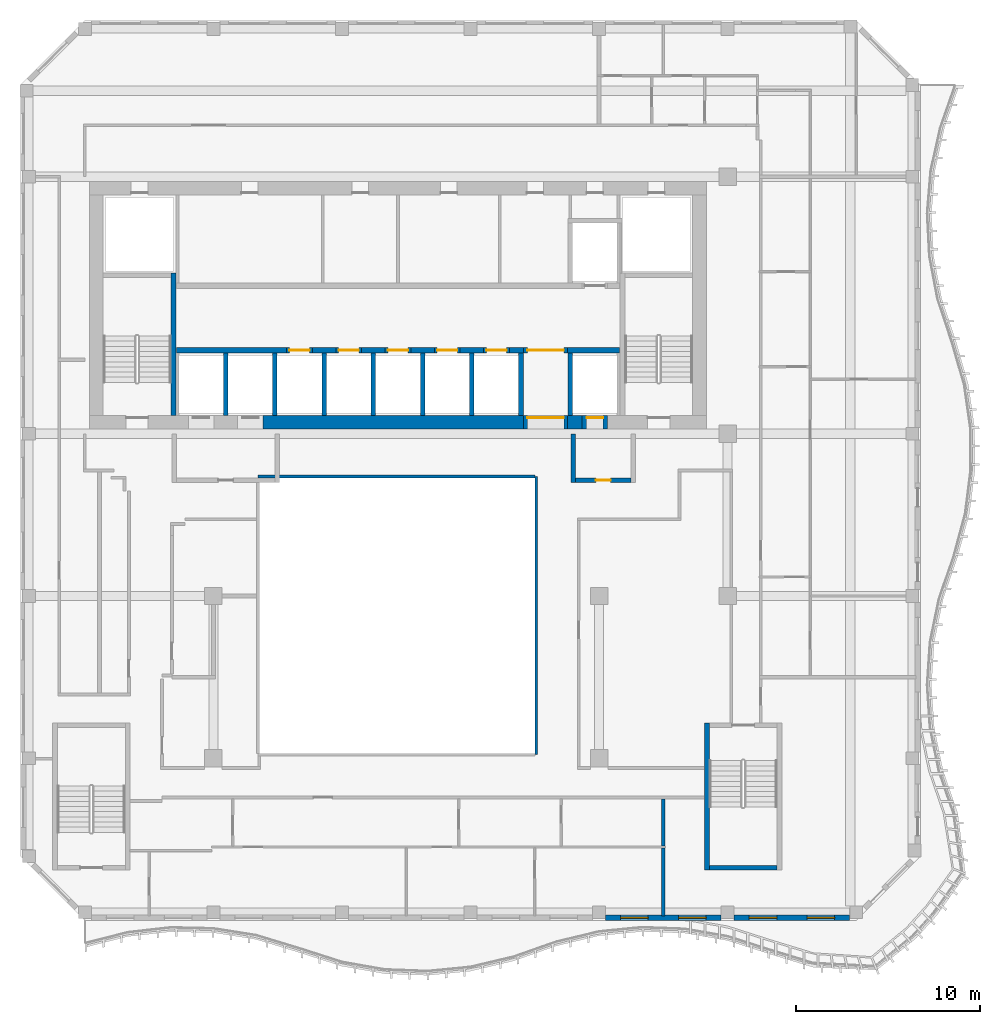
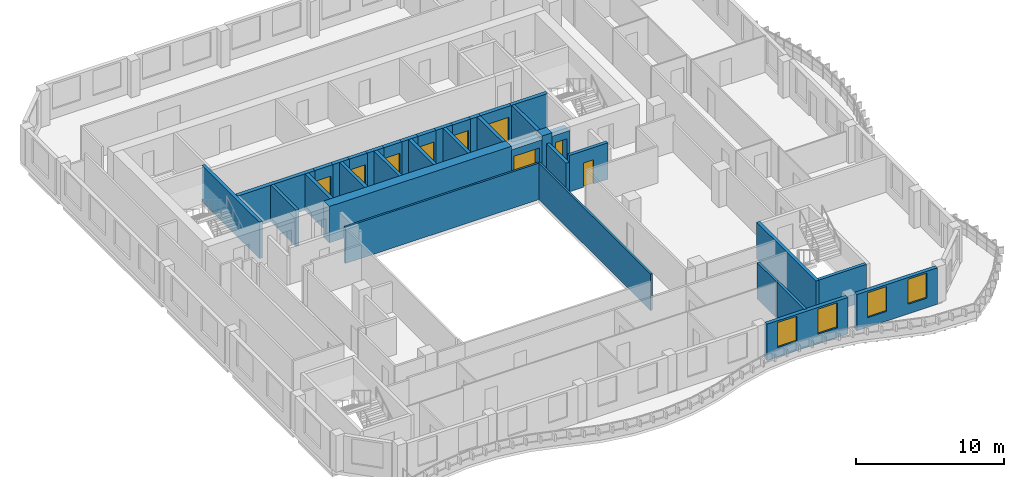
# One storey, part 4 of 13: 36 walls, 9 doors, 4 windows, 13 openings.
"""IFC4 building model written with IfcOpenShell, lengths in metres."""

from ifc_helpers import new_model, si_unit, direction, frame, frame_2d, origin, place, context, subcontext, project, spatial, rectangle, extrude, source, transform, mapped, material, layer, layer_set, type_object, element, fill, save


model = new_model("IFC4")

# Units and contexts
model_context = context("Model", 3, precision=1e-05, world=origin(), true_north=direction((0.0, 1.0)))
body_context = subcontext(model_context, "Body", "Model", "MODEL_VIEW")
ifc_project = project(units=[si_unit("LENGTHUNIT", "METRE"), si_unit("AREAUNIT", "SQUARE_METRE"), si_unit("VOLUMEUNIT", "CUBIC_METRE"), si_unit("PLANEANGLEUNIT", "RADIAN"), si_unit("MASSUNIT", "GRAM", prefix="KILO")], contexts=[model_context])

# Site, building, storey
site_placement = place(None, origin())
site = spatial("IfcSite", under=ifc_project, at=site_placement, CompositionType="ELEMENT")
building_placement = place(site_placement, origin())
building = spatial("IfcBuilding", under=site, at=building_placement, Name="Kilnfold Tower and Market Hall", CompositionType="ELEMENT")
storey_placement = place(building_placement, frame((0.0, 0.0, 259.39990234375)))
storey = spatial("IfcBuildingStorey", under=building, at=storey_placement, Name="L63", CompositionType="ELEMENT", Elevation=259.39990234375)

# Walls
ifc_material_1 = material(Name="Fire-resisting glazed screen")
ifc_layer_1 = layer(ifc_material_1, 0.14990234375)
ifc_layer_set_1 = layer_set([ifc_layer_1], Name="Fire-resisting glazed screen")
wall_type_1 = type_object("IfcWallType", Name="WALL ATRIUM 150", PredefinedType="PARTITIONING", material=ifc_layer_set_1)
wall_1_placement = place(storey_placement, frame((-6.574951171875, 5.675048828125, 0.0), z_axis=(0.0, 0.0, 1.0), x_axis=(1.0, 0.0, 0.0)))
element("IfcWall", 1, at=wall_1_placement, inside=storey, type_object=wall_type_1, Name="Partition LY39.82", PredefinedType="PARTITIONING", context=body_context, shape_type="SweptSolid", body=[
    extrude(rectangle(XDim=15.074951171875, YDim=0.14990234375, at=frame_2d((7.53759765625, 0.0))), origin(), (0.0, 0.0, 1.0), 3.0),
])
wall_2_placement = place(storey_placement, frame((8.574951171875, 5.675048828125, 0.0), z_axis=(0.0, 0.0, 1.0), x_axis=(0.0, -1.0, 0.0)))
element("IfcWall", 2, at=wall_2_placement, inside=storey, type_object=wall_type_1, Name="Partition LY39.83", PredefinedType="PARTITIONING", context=body_context, shape_type="SweptSolid", body=[
    extrude(rectangle(XDim=15.150146484375, YDim=0.14990234375, at=frame_2d((7.5751953125, 0.0))), origin(), (0.0, 0.0, 1.0), 3.0),
])
ifc_material_2 = material(Name="Gypsum board on steel studs", Category="steel")
ifc_layer_2 = layer(ifc_material_2, 0.199951171875)
ifc_layer_set_2 = layer_set([ifc_layer_2], Name="Gypsum board on steel studs")
wall_type_2 = type_object("IfcWallType", Name="WALL PARTY 200", PredefinedType="PARTITIONING", material=ifc_layer_set_2)
wall_3_placement = place(storey_placement, frame((15.5, -14.449951171875, 0.0), z_axis=(0.0, 0.0, 1.0), x_axis=(0.0, 1.0, 0.0)))
element("IfcWall", 3, at=wall_3_placement, inside=storey, type_object=wall_type_2, Name="Partition LY39.49", PredefinedType="PARTITIONING", context=body_context, shape_type="SweptSolid", body=[
    extrude(rectangle(XDim=2.572998046875, YDim=0.199951171875, at=frame_2d((1.28662109375, 0.0))), origin(), (0.0, 0.0, 1.0), 3.0),
])
wall_4_placement = place(storey_placement, frame((15.5, -18.25, 0.0), z_axis=(0.0, 0.0, 1.0), x_axis=(0.0, 1.0, 0.0)))
element("IfcWall", 4, at=wall_4_placement, inside=storey, type_object=wall_type_2, Name="Partition LY39.53", PredefinedType="PARTITIONING", context=body_context, shape_type="SweptSolid", body=[
    extrude(rectangle(XDim=3.697998046875, YDim=0.199951171875, at=frame_2d((1.84912109375, 0.0))), origin(), (0.0, 0.0, 1.0), 3.0),
])
ifc_material_3 = material(Name="Concrete C60", Category="concrete")
ifc_layer_3 = layer(ifc_material_3, 0.25)
ifc_layer_set_3 = layer_set([ifc_layer_3], Name="Concrete C60")
wall_type_3 = type_object("IfcWallType", Name="CORE WALL 250 C60", PredefinedType="SHEAR", material=ifc_layer_set_3)
shared_shape_1 = source(origin(), body_context, "Body", "SweptSolid", [
    extrude(rectangle(XDim=7.75, YDim=0.25, at=frame_2d((3.875, 0.0))), origin(), (0.0, 0.0, 1.0), 3.0),
])
wall_5_placement = place(storey_placement, frame((-11.175048828125, 9.0, 0.0), z_axis=(0.0, 0.0, 1.0), x_axis=(0.0, 1.0, 0.0)))
element("IfcWall", 5, at=wall_5_placement, inside=storey, type_object=wall_type_3, Name="Stair enclosure ST1", PredefinedType="SHEAR", context=body_context, shape_type="MappedRepresentation", body=[
    mapped(shared_shape_1, transform((0.0, 0.0, 0.0))),
])
shared_shape_2 = source(origin(), body_context, "Body", "SweptSolid", [
    extrude(rectangle(XDim=3.699951171875, YDim=0.25, at=frame_2d((1.85009765625, 0.0))), origin(), (0.0, 0.0, 1.0), 3.0),
])
wall_6_placement = place(storey_placement, frame((18.0, -15.625, 0.0), z_axis=(0.0, 0.0, 1.0), x_axis=(1.0, 0.0, 0.0)))
element("IfcWall", 6, at=wall_6_placement, inside=storey, type_object=wall_type_3, Name="Stair enclosure ST4", PredefinedType="SHEAR", context=body_context, shape_type="MappedRepresentation", body=[
    mapped(shared_shape_2, transform((0.0, 0.0, 0.0))),
])
shared_shape_3 = source(origin(), body_context, "Body", "SweptSolid", [
    extrude(rectangle(XDim=8.0, YDim=0.25, at=frame_2d((4.0, 0.0))), origin(), (0.0, 0.0, 1.0), 3.0),
])
wall_7_placement = place(storey_placement, frame((17.875, -15.75, 0.0), z_axis=(0.0, 0.0, 1.0), x_axis=(0.0, 1.0, 0.0)))
element("IfcWall", 7, at=wall_7_placement, inside=storey, type_object=wall_type_3, Name="Stair enclosure ST4", PredefinedType="SHEAR", context=body_context, shape_type="MappedRepresentation", body=[
    mapped(shared_shape_3, transform((0.0, 0.0, 0.0))),
])
ifc_material_4 = material(Name="Concrete C60", Category="concrete")
ifc_layer_4 = layer(ifc_material_4, 0.300048828125)
ifc_layer_set_4 = layer_set([ifc_layer_4], Name="Concrete C60")
wall_type_4 = type_object("IfcWallType", Name="CORE WALL 300 C60", PredefinedType="SHEAR", material=ifc_layer_set_4)
shared_shape_4 = source(origin(), body_context, "Body", "SweptSolid", [
    extrude(rectangle(XDim=6.0, YDim=0.300048828125, at=frame_2d((3.0, 0.0))), origin(), (0.0, 0.0, 1.0), 3.0),
])
wall_8_placement = place(storey_placement, frame((-11.010009765625, 12.550048828125, 0.0), z_axis=(0.0, 0.0, 1.0), x_axis=(1.0, 0.0, 0.0)))
element("IfcWall", 8, at=wall_8_placement, inside=storey, type_object=wall_type_4, Name="Core spine wall", PredefinedType="SHEAR", context=body_context, shape_type="MappedRepresentation", body=[
    mapped(shared_shape_4, transform((0.0, 0.0, 0.0))),
])
shared_shape_5 = source(origin(), body_context, "Body", "SweptSolid", [
    extrude(rectangle(XDim=1.280029296875, YDim=0.300048828125, at=frame_2d((0.64013671875, 0.0))), origin(), (0.0, 0.0, 1.0), 3.0),
])
for number, where, z_axis, x_axis, name in (
    (9, (-3.610107421875, 12.550048828125, 0.0), (0.0, 0.0, 1.0), (1.0, 0.0, 0.0), "Core spine wall"),
    (10, (-0.929931640625, 12.550048828125, 0.0), (0.0, 0.0, 1.0), (1.0, 0.0, 0.0), "Core spine wall"),
    (11, (1.75, 12.550048828125, 0.0), (0.0, 0.0, 1.0), (1.0, 0.0, 0.0), "Core spine wall"),
    (12, (4.429931640625, 12.550048828125, 0.0), (0.0, 0.0, 1.0), (1.0, 0.0, 0.0), "Core spine wall"),
):
    element("IfcWall", number, at=place(storey_placement, frame(where, z_axis=z_axis, x_axis=x_axis)), inside=storey, type_object=wall_type_4, Name=name, PredefinedType="SHEAR", context=body_context, shape_type="MappedRepresentation", body=[
        mapped(shared_shape_5, transform((0.0, 0.0, 0.0))),
    ])
shared_shape_6 = source(origin(), body_context, "Body", "SweptSolid", [
    extrude(rectangle(XDim=0.77978515625, YDim=0.300048828125, at=frame_2d((0.389892578125, 0.0))), origin(), (0.0, 0.0, 1.0), 3.0),
])
wall_9_placement = place(storey_placement, frame((7.110107421875, 12.550048828125, 0.0), z_axis=(0.0, 0.0, 1.0), x_axis=(1.0, 0.0, 0.0)))
element("IfcWall", 13, at=wall_9_placement, inside=storey, type_object=wall_type_4, Name="Core spine wall", PredefinedType="SHEAR", context=body_context, shape_type="MappedRepresentation", body=[
    mapped(shared_shape_6, transform((0.0, 0.0, 0.0))),
])
shared_shape_7 = source(origin(), body_context, "Body", "SweptSolid", [
    extrude(rectangle(XDim=2.820068359375, YDim=0.300048828125, at=frame_2d((1.41015625, 0.0))), origin(), (0.0, 0.0, 1.0), 3.0),
])
wall_10_placement = place(storey_placement, frame((10.2900390625, 12.550048828125, 0.0), z_axis=(0.0, 0.0, 1.0), x_axis=(1.0, 0.0, 0.0)))
element("IfcWall", 14, at=wall_10_placement, inside=storey, type_object=wall_type_4, Name="Core spine wall", PredefinedType="SHEAR", context=body_context, shape_type="MappedRepresentation", body=[
    mapped(shared_shape_7, transform((0.0, 0.0, 0.0))),
])
ifc_material_5 = material(Name="Concrete C60", Category="concrete")
ifc_layer_5 = layer(ifc_material_5, 0.75)
ifc_layer_set_5 = layer_set([ifc_layer_5], Name="Concrete C60")
wall_type_5 = type_object("IfcWallType", Name="CORE WALL 750 C60", PredefinedType="SHEAR", material=ifc_layer_set_5)
shared_shape_8 = source(origin(), body_context, "Body", "SweptSolid", [
    extrude(rectangle(XDim=14.179931640625, YDim=0.75, at=frame_2d((7.08984375, 0.0))), origin(), (0.0, 0.0, 1.0), 3.0),
])
wall_11_placement = place(storey_placement, frame((-6.2900390625, 8.625, 0.0), z_axis=(0.0, 0.0, 1.0), x_axis=(1.0, 0.0, 0.0)))
element("IfcWall", 15, at=wall_11_placement, inside=storey, type_object=wall_type_5, Name="Core outer wall south", PredefinedType="SHEAR", context=body_context, shape_type="MappedRepresentation", body=[
    mapped(shared_shape_8, transform((0.0, 0.0, 0.0))),
])
shared_shape_9 = source(origin(), body_context, "Body", "SweptSolid", [
    extrude(rectangle(XDim=0.780029296875, YDim=0.75, at=frame_2d((0.39013671875, 0.0))), origin(), (0.0, 0.0, 1.0), 3.0),
])
wall_12_placement = place(storey_placement, frame((10.2900390625, 8.625, 0.0), z_axis=(0.0, 0.0, 1.0), x_axis=(1.0, 0.0, 0.0)))
element("IfcWall", 16, at=wall_12_placement, inside=storey, type_object=wall_type_5, Name="Core outer wall south", PredefinedType="SHEAR", context=body_context, shape_type="MappedRepresentation", body=[
    mapped(shared_shape_9, transform((0.0, 0.0, 0.0))),
])

# Wall, openings, windows
ifc_material_6 = material(Name="Precast concrete C50/60", Category="concrete")
ifc_layer_6 = layer(ifc_material_6, 0.300048828125)
ifc_layer_set_6 = layer_set([ifc_layer_6], Name="Precast concrete C50/60")
wall_type_6 = type_object("IfcWallType", Name="PRECAST WALL 300", PredefinedType="SOLIDWALL", material=ifc_layer_set_6)
shared_shape_10 = source(origin(), body_context, "Body", "SweptSolid", [
    extrude(rectangle(XDim=6.2998046875, YDim=0.300048828125, at=frame_2d((3.14990234375, 0.0))), origin(), (0.0, 0.0, 1.0), 3.0),
])
wall_13_placement = place(storey_placement, frame((12.35009765625, -18.35009765625, 0.0), z_axis=(0.0, 0.0, 1.0), x_axis=(1.0, 0.0, 0.0)))
wall_13 = element("IfcWall", 17, at=wall_13_placement, inside=storey, type_object=wall_type_6, Name="External wall L63 S", PredefinedType="SOLIDWALL", context=body_context, shape_type="MappedRepresentation", body=[
    mapped(shared_shape_10, transform((0.0, 0.0, 0.0))),
])
opening_1_placement = place(wall_13_placement, frame((0.824951171875, 0.0, 0.800048828125)))
opening_1 = element("IfcOpeningElement", 18, at=opening_1_placement, cuts=wall_13, Name="Opening W5", PredefinedType="OPENING", context=body_context, shape_type="SweptSolid", body=[
    extrude(rectangle(XDim=1.5, YDim=2.050048828125, at=frame_2d((0.75, 1.02490234375))), frame((0.0, 0.16015625, 0.0), z_axis=(0.0, -1.0, 0.0), x_axis=(1.0, 0.0, 0.0)), (0.0, 0.0, 1.0), 0.320068359375),
])
opening_2_placement = place(wall_13_placement, frame((3.97509765625, 0.0, 0.800048828125)))
opening_2 = element("IfcOpeningElement", 19, at=opening_2_placement, cuts=wall_13, Name="Opening W5", PredefinedType="OPENING", context=body_context, shape_type="SweptSolid", body=[
    extrude(rectangle(XDim=1.5, YDim=2.050048828125, at=frame_2d((0.75, 1.02490234375))), frame((0.0, 0.16015625, 0.0), z_axis=(0.0, -1.0, 0.0), x_axis=(1.0, 0.0, 0.0)), (0.0, 0.0, 1.0), 0.320068359375),
])
ifc_material_7 = material(Name="Aluminium frame and double glazing", Category="aluminium")
window_type = type_object("IfcWindowType", Name="WINDOW W5 1500X2050", PartitioningType="SINGLE_PANEL", PredefinedType="WINDOW", material=ifc_material_7)
window_1_placement = place(opening_1_placement, origin())
window_1 = element("IfcWindow", 20, at=window_1_placement, inside=storey, type_object=window_type, Name="Window W5 L63 S-1", OverallHeight=2.050048828125, OverallWidth=1.5, PartitioningType="SINGLE_PANEL", PredefinedType="WINDOW", context=body_context, shape_type="SweptSolid", body=[
    extrude(rectangle(XDim=1.5, YDim=2.050048828125, at=frame_2d((0.75, 1.02490234375))), frame((0.0, 0.030029296875, 0.0), z_axis=(0.0, -1.0, 0.0), x_axis=(1.0, 0.0, 0.0)), (0.0, 0.0, 1.0), 0.06005859375),
])
fill(opening_1, window_1)
window_2_placement = place(opening_2_placement, origin())
window_2 = element("IfcWindow", 21, at=window_2_placement, inside=storey, type_object=window_type, Name="Window W5 L63 S-2", OverallHeight=2.050048828125, OverallWidth=1.5, PartitioningType="SINGLE_PANEL", PredefinedType="WINDOW", context=body_context, shape_type="SweptSolid", body=[
    extrude(rectangle(XDim=1.5, YDim=2.050048828125, at=frame_2d((0.75, 1.02490234375))), frame((0.0, 0.030029296875, 0.0), z_axis=(0.0, -1.0, 0.0), x_axis=(1.0, 0.0, 0.0)), (0.0, 0.0, 1.0), 0.06005859375),
])
fill(opening_2, window_2)

wall_14_placement = place(storey_placement, frame((19.35009765625, -18.35009765625, 0.0), z_axis=(0.0, 0.0, 1.0), x_axis=(1.0, 0.0, 0.0)))
wall_14 = element("IfcWall", 22, at=wall_14_placement, inside=storey, type_object=wall_type_6, Name="External wall L63 S", PredefinedType="SOLIDWALL", context=body_context, shape_type="MappedRepresentation", body=[
    mapped(shared_shape_10, transform((0.0, 0.0, 0.0))),
])
opening_3_placement = place(wall_14_placement, frame((0.824951171875, 0.0, 0.800048828125)))
opening_3 = element("IfcOpeningElement", 23, at=opening_3_placement, cuts=wall_14, Name="Opening W5", PredefinedType="OPENING", context=body_context, shape_type="SweptSolid", body=[
    extrude(rectangle(XDim=1.5, YDim=2.050048828125, at=frame_2d((0.75, 1.02490234375))), frame((0.0, 0.16015625, 0.0), z_axis=(0.0, -1.0, 0.0), x_axis=(1.0, 0.0, 0.0)), (0.0, 0.0, 1.0), 0.320068359375),
])
opening_4_placement = place(wall_14_placement, frame((3.97509765625, 0.0, 0.800048828125)))
opening_4 = element("IfcOpeningElement", 24, at=opening_4_placement, cuts=wall_14, Name="Opening W5", PredefinedType="OPENING", context=body_context, shape_type="SweptSolid", body=[
    extrude(rectangle(XDim=1.5, YDim=2.050048828125, at=frame_2d((0.75, 1.02490234375))), frame((0.0, 0.16015625, 0.0), z_axis=(0.0, -1.0, 0.0), x_axis=(1.0, 0.0, 0.0)), (0.0, 0.0, 1.0), 0.320068359375),
])
window_3_placement = place(opening_3_placement, origin())
window_3 = element("IfcWindow", 25, at=window_3_placement, inside=storey, type_object=window_type, Name="Window W5 L63 S-1", OverallHeight=2.050048828125, OverallWidth=1.5, PartitioningType="SINGLE_PANEL", PredefinedType="WINDOW", context=body_context, shape_type="SweptSolid", body=[
    extrude(rectangle(XDim=1.5, YDim=2.050048828125, at=frame_2d((0.75, 1.02490234375))), frame((0.0, 0.030029296875, 0.0), z_axis=(0.0, -1.0, 0.0), x_axis=(1.0, 0.0, 0.0)), (0.0, 0.0, 1.0), 0.06005859375),
])
fill(opening_3, window_3)
window_4_placement = place(opening_4_placement, origin())
window_4 = element("IfcWindow", 26, at=window_4_placement, inside=storey, type_object=window_type, Name="Window W5 L63 S-2", OverallHeight=2.050048828125, OverallWidth=1.5, PartitioningType="SINGLE_PANEL", PredefinedType="WINDOW", context=body_context, shape_type="SweptSolid", body=[
    extrude(rectangle(XDim=1.5, YDim=2.050048828125, at=frame_2d((0.75, 1.02490234375))), frame((0.0, 0.030029296875, 0.0), z_axis=(0.0, -1.0, 0.0), x_axis=(1.0, 0.0, 0.0)), (0.0, 0.0, 1.0), 0.06005859375),
])
fill(opening_4, window_4)

# Wall, opening, door
ifc_material_8 = material(Name="Gypsum shaft wall system")
ifc_layer_7 = layer(ifc_material_8, 0.300048828125)
ifc_layer_set_7 = layer_set([ifc_layer_7], Name="Gypsum shaft wall system")
wall_type_7 = type_object("IfcWallType", Name="SHAFT WALL 300", PredefinedType="PARTITIONING", material=ifc_layer_set_7)
shared_shape_11 = source(origin(), body_context, "Body", "SweptSolid", [
    extrude(rectangle(XDim=1.39990234375, YDim=0.300048828125, at=frame_2d((0.699951171875, 0.0))), origin(), (0.0, 0.0, 1.0), 3.0),
])
wall_15_placement = place(storey_placement, frame((-5.010009765625, 12.550048828125, 0.0), z_axis=(0.0, 0.0, 1.0), x_axis=(1.0, 0.0, 0.0)))
wall_15 = element("IfcWall", 27, at=wall_15_placement, inside=storey, type_object=wall_type_7, Name="Lift shaft front wall", PredefinedType="PARTITIONING", context=body_context, shape_type="MappedRepresentation", body=[
    mapped(shared_shape_11, transform((0.0, 0.0, 0.0))),
])
opening_5_placement = place(wall_15_placement, frame((0.14990234375, 0.0, 0.0)))
opening_5 = element("IfcOpeningElement", 28, at=opening_5_placement, cuts=wall_15, Name="Opening LD2", PredefinedType="OPENING", context=body_context, shape_type="SweptSolid", body=[
    extrude(rectangle(XDim=1.10009765625, YDim=2.10009765625, at=frame_2d((0.550048828125, 1.050048828125))), frame((0.0, 0.16015625, 0.0), z_axis=(0.0, -1.0, 0.0), x_axis=(1.0, 0.0, 0.0)), (0.0, 0.0, 1.0), 0.320068359375),
])
ifc_material_9 = material(Name="Steel door set with fire-resisting leaf", Category="steel")
door_type_1 = type_object("IfcDoorType", Name="LANDING DOOR 1100X2100", OperationType="NOTDEFINED", PredefinedType="DOOR", material=ifc_material_9)
door_1_placement = place(opening_5_placement, origin())
door_1 = element("IfcDoor", 29, at=door_1_placement, inside=storey, type_object=door_type_1, Name="Landing door HR1", OperationType="DOUBLE_DOOR_SLIDING", OverallHeight=2.10009765625, OverallWidth=1.10009765625, PredefinedType="DOOR", context=body_context, shape_type="SweptSolid", body=[
    extrude(rectangle(XDim=1.10009765625, YDim=2.10009765625, at=frame_2d((0.550048828125, 1.050048828125))), frame((0.0, 0.02490234375, 0.0), z_axis=(0.0, -1.0, 0.0), x_axis=(1.0, 0.0, 0.0)), (0.0, 0.0, 1.0), 0.050048828125),
])
fill(opening_5, door_1)

wall_16_placement = place(storey_placement, frame((0.35009765625, 12.550048828125, 0.0), z_axis=(0.0, 0.0, 1.0), x_axis=(1.0, 0.0, 0.0)))
wall_16 = element("IfcWall", 30, at=wall_16_placement, inside=storey, type_object=wall_type_7, Name="Lift shaft front wall", PredefinedType="PARTITIONING", context=body_context, shape_type="MappedRepresentation", body=[
    mapped(shared_shape_11, transform((0.0, 0.0, 0.0))),
])
opening_6_placement = place(wall_16_placement, frame((0.14990234375, 0.0, 0.0)))
opening_6 = element("IfcOpeningElement", 31, at=opening_6_placement, cuts=wall_16, Name="Opening LD2", PredefinedType="OPENING", context=body_context, shape_type="SweptSolid", body=[
    extrude(rectangle(XDim=1.10009765625, YDim=2.10009765625, at=frame_2d((0.550048828125, 1.050048828125))), frame((0.0, 0.16015625, 0.0), z_axis=(0.0, -1.0, 0.0), x_axis=(1.0, 0.0, 0.0)), (0.0, 0.0, 1.0), 0.320068359375),
])
door_2_placement = place(opening_6_placement, origin())
door_2 = element("IfcDoor", 32, at=door_2_placement, inside=storey, type_object=door_type_1, Name="Landing door HR3", OperationType="DOUBLE_DOOR_SLIDING", OverallHeight=2.10009765625, OverallWidth=1.10009765625, PredefinedType="DOOR", context=body_context, shape_type="SweptSolid", body=[
    extrude(rectangle(XDim=1.10009765625, YDim=2.10009765625, at=frame_2d((0.550048828125, 1.050048828125))), frame((0.0, 0.02490234375, 0.0), z_axis=(0.0, -1.0, 0.0), x_axis=(1.0, 0.0, 0.0)), (0.0, 0.0, 1.0), 0.050048828125),
])
fill(opening_6, door_2)

wall_17_placement = place(storey_placement, frame((3.030029296875, 12.550048828125, 0.0), z_axis=(0.0, 0.0, 1.0), x_axis=(1.0, 0.0, 0.0)))
wall_17 = element("IfcWall", 33, at=wall_17_placement, inside=storey, type_object=wall_type_7, Name="Lift shaft front wall", PredefinedType="PARTITIONING", context=body_context, shape_type="MappedRepresentation", body=[
    mapped(shared_shape_11, transform((0.0, 0.0, 0.0))),
])
opening_7_placement = place(wall_17_placement, frame((0.14990234375, 0.0, 0.0)))
opening_7 = element("IfcOpeningElement", 34, at=opening_7_placement, cuts=wall_17, Name="Opening LD2", PredefinedType="OPENING", context=body_context, shape_type="SweptSolid", body=[
    extrude(rectangle(XDim=1.10009765625, YDim=2.10009765625, at=frame_2d((0.550048828125, 1.050048828125))), frame((0.0, 0.16015625, 0.0), z_axis=(0.0, -1.0, 0.0), x_axis=(1.0, 0.0, 0.0)), (0.0, 0.0, 1.0), 0.320068359375),
])
door_3_placement = place(opening_7_placement, origin())
door_3 = element("IfcDoor", 35, at=door_3_placement, inside=storey, type_object=door_type_1, Name="Landing door HR4", OperationType="DOUBLE_DOOR_SLIDING", OverallHeight=2.10009765625, OverallWidth=1.10009765625, PredefinedType="DOOR", context=body_context, shape_type="SweptSolid", body=[
    extrude(rectangle(XDim=1.10009765625, YDim=2.10009765625, at=frame_2d((0.550048828125, 1.050048828125))), frame((0.0, 0.02490234375, 0.0), z_axis=(0.0, -1.0, 0.0), x_axis=(1.0, 0.0, 0.0)), (0.0, 0.0, 1.0), 0.050048828125),
])
fill(opening_7, door_3)

shared_shape_12 = source(origin(), body_context, "Body", "SweptSolid", [
    extrude(rectangle(XDim=1.400146484375, YDim=0.300048828125, at=frame_2d((0.7001953125, 0.0))), origin(), (0.0, 0.0, 1.0), 3.0),
])
wall_18_placement = place(storey_placement, frame((-2.330078125, 12.550048828125, 0.0), z_axis=(0.0, 0.0, 1.0), x_axis=(1.0, 0.0, 0.0)))
wall_18 = element("IfcWall", 36, at=wall_18_placement, inside=storey, type_object=wall_type_7, Name="Lift shaft front wall", PredefinedType="PARTITIONING", context=body_context, shape_type="MappedRepresentation", body=[
    mapped(shared_shape_12, transform((0.0, 0.0, 0.0))),
])
opening_8_placement = place(wall_18_placement, frame((0.14990234375, 0.0, 0.0)))
opening_8 = element("IfcOpeningElement", 37, at=opening_8_placement, cuts=wall_18, Name="Opening LD2", PredefinedType="OPENING", context=body_context, shape_type="SweptSolid", body=[
    extrude(rectangle(XDim=1.10009765625, YDim=2.10009765625, at=frame_2d((0.550048828125, 1.050048828125))), frame((0.0, 0.16015625, 0.0), z_axis=(0.0, -1.0, 0.0), x_axis=(1.0, 0.0, 0.0)), (0.0, 0.0, 1.0), 0.320068359375),
])
door_4_placement = place(opening_8_placement, origin())
door_4 = element("IfcDoor", 38, at=door_4_placement, inside=storey, type_object=door_type_1, Name="Landing door HR2", OperationType="DOUBLE_DOOR_SLIDING", OverallHeight=2.10009765625, OverallWidth=1.10009765625, PredefinedType="DOOR", context=body_context, shape_type="SweptSolid", body=[
    extrude(rectangle(XDim=1.10009765625, YDim=2.10009765625, at=frame_2d((0.550048828125, 1.050048828125))), frame((0.0, 0.02490234375, 0.0), z_axis=(0.0, -1.0, 0.0), x_axis=(1.0, 0.0, 0.0)), (0.0, 0.0, 1.0), 0.050048828125),
])
fill(opening_8, door_4)

wall_19_placement = place(storey_placement, frame((5.7099609375, 12.550048828125, 0.0), z_axis=(0.0, 0.0, 1.0), x_axis=(1.0, 0.0, 0.0)))
wall_19 = element("IfcWall", 39, at=wall_19_placement, inside=storey, type_object=wall_type_7, Name="Lift shaft front wall", PredefinedType="PARTITIONING", context=body_context, shape_type="MappedRepresentation", body=[
    mapped(shared_shape_12, transform((0.0, 0.0, 0.0))),
])
opening_9_placement = place(wall_19_placement, frame((0.14990234375, 0.0, 0.0)))
opening_9 = element("IfcOpeningElement", 40, at=opening_9_placement, cuts=wall_19, Name="Opening LD2", PredefinedType="OPENING", context=body_context, shape_type="SweptSolid", body=[
    extrude(rectangle(XDim=1.10009765625, YDim=2.10009765625, at=frame_2d((0.550048828125, 1.050048828125))), frame((0.0, 0.16015625, 0.0), z_axis=(0.0, -1.0, 0.0), x_axis=(1.0, 0.0, 0.0)), (0.0, 0.0, 1.0), 0.320068359375),
])
door_5_placement = place(opening_9_placement, origin())
door_5 = element("IfcDoor", 41, at=door_5_placement, inside=storey, type_object=door_type_1, Name="Landing door HR5", OperationType="DOUBLE_DOOR_SLIDING", OverallHeight=2.10009765625, OverallWidth=1.10009765625, PredefinedType="DOOR", context=body_context, shape_type="SweptSolid", body=[
    extrude(rectangle(XDim=1.10009765625, YDim=2.10009765625, at=frame_2d((0.550048828125, 1.050048828125))), frame((0.0, 0.02490234375, 0.0), z_axis=(0.0, -1.0, 0.0), x_axis=(1.0, 0.0, 0.0)), (0.0, 0.0, 1.0), 0.050048828125),
])
fill(opening_9, door_5)

shared_shape_13 = source(origin(), body_context, "Body", "SweptSolid", [
    extrude(rectangle(XDim=2.400146484375, YDim=0.300048828125, at=frame_2d((1.2001953125, 0.0))), origin(), (0.0, 0.0, 1.0), 3.0),
])
wall_20_placement = place(storey_placement, frame((7.889892578125, 12.550048828125, 0.0), z_axis=(0.0, 0.0, 1.0), x_axis=(1.0, 0.0, 0.0)))
wall_20 = element("IfcWall", 42, at=wall_20_placement, inside=storey, type_object=wall_type_7, Name="Lift shaft front wall", PredefinedType="PARTITIONING", context=body_context, shape_type="MappedRepresentation", body=[
    mapped(shared_shape_13, transform((0.0, 0.0, 0.0))),
])
opening_10_placement = place(wall_20_placement, frame((0.199951171875, 0.0, 0.0)))
opening_10 = element("IfcOpeningElement", 43, at=opening_10_placement, cuts=wall_20, Name="Opening VD2", PredefinedType="OPENING", context=body_context, shape_type="SweptSolid", body=[
    extrude(rectangle(XDim=2.0, YDim=2.10009765625, at=frame_2d((1.0, 1.050048828125))), frame((0.0, 0.16015625, 0.0), z_axis=(0.0, -1.0, 0.0), x_axis=(1.0, 0.0, 0.0)), (0.0, 0.0, 1.0), 0.320068359375),
])
ifc_material_10 = material(Name="Steel door set with fire-resisting leaf", Category="steel")
door_type_2 = type_object("IfcDoorType", Name="LIFT LOBBY ENTRANCE DOOR 2000X2100", OperationType="NOTDEFINED", PredefinedType="DOOR", material=ifc_material_10)
door_6_placement = place(opening_10_placement, origin())
door_6 = element("IfcDoor", 44, at=door_6_placement, inside=storey, type_object=door_type_2, Name="Lift lobby entrance door", OperationType="DOUBLE_DOOR_SINGLE_SWING", OverallHeight=2.10009765625, OverallWidth=2.0, PredefinedType="DOOR", context=body_context, shape_type="SweptSolid", body=[
    extrude(rectangle(XDim=2.0, YDim=2.10009765625, at=frame_2d((1.0, 1.050048828125))), frame((0.0, 0.02490234375, 0.0), z_axis=(0.0, -1.0, 0.0), x_axis=(1.0, 0.0, 0.0)), (0.0, 0.0, 1.0), 0.050048828125),
])
fill(opening_10, door_6)

ifc_material_11 = material(Name="Gypsum shaft wall system")
ifc_layer_8 = layer(ifc_material_11, 0.25)
ifc_layer_set_8 = layer_set([ifc_layer_8], Name="Gypsum shaft wall system")
wall_type_8 = type_object("IfcWallType", Name="LOBBY WALL 250", PredefinedType="PARTITIONING", material=ifc_layer_set_8)
shared_shape_14 = source(origin(), body_context, "Body", "SweptSolid", [
    extrude(rectangle(XDim=3.0, YDim=0.25, at=frame_2d((1.5, 0.0))), origin(), (0.0, 0.0, 1.0), 3.0),
])
wall_21_placement = place(storey_placement, frame((10.72998046875, 5.47509765625, 0.0), z_axis=(0.0, 0.0, 1.0), x_axis=(1.0, 0.0, 0.0)))
wall_21 = element("IfcWall", 45, at=wall_21_placement, inside=storey, type_object=wall_type_8, Name="Firefighting lobby wall", PredefinedType="PARTITIONING", context=body_context, shape_type="MappedRepresentation", body=[
    mapped(shared_shape_14, transform((0.0, 0.0, 0.0))),
])
opening_11_placement = place(wall_21_placement, frame((1.10009765625, 0.0, 0.0)))
opening_11 = element("IfcOpeningElement", 46, at=opening_11_placement, cuts=wall_21, Name="Opening VD1", PredefinedType="OPENING", context=body_context, shape_type="SweptSolid", body=[
    extrude(rectangle(XDim=0.800048828125, YDim=2.0, at=frame_2d((0.39990234375, 1.0))), frame((0.0, 0.135009765625, 0.0), z_axis=(0.0, -1.0, 0.0), x_axis=(1.0, 0.0, 0.0)), (0.0, 0.0, 1.0), 0.27001953125),
])
ifc_material_12 = material(Name="Steel door set with fire-resisting leaf", Category="steel")
door_type_3 = type_object("IfcDoorType", Name="FIREFIGHTING LOBBY DOOR 800X2000", OperationType="NOTDEFINED", PredefinedType="DOOR", material=ifc_material_12)
door_7_placement = place(opening_11_placement, origin())
door_7 = element("IfcDoor", 47, at=door_7_placement, inside=storey, type_object=door_type_3, Name="Firefighting lobby door", OperationType="SINGLE_SWING_RIGHT", OverallHeight=2.0, OverallWidth=0.800048828125, PredefinedType="DOOR", context=body_context, shape_type="SweptSolid", body=[
    extrude(rectangle(XDim=0.800048828125, YDim=2.0, at=frame_2d((0.39990234375, 1.0))), frame((0.0, 0.02490234375, 0.0), z_axis=(0.0, -1.0, 0.0), x_axis=(1.0, 0.0, 0.0)), (0.0, 0.0, 1.0), 0.050048828125),
])
fill(opening_11, door_7)

# Walls
ifc_material_13 = material(Name="Gypsum shaft wall system")
ifc_layer_9 = layer(ifc_material_13, 0.25)
ifc_layer_set_9 = layer_set([ifc_layer_9], Name="Gypsum shaft wall system")
wall_type_9 = type_object("IfcWallType", Name="SHAFT WALL 250", PredefinedType="PARTITIONING", material=ifc_layer_set_9)
shared_shape_15 = source(origin(), body_context, "Body", "SweptSolid", [
    extrude(rectangle(XDim=3.39990234375, YDim=0.25, at=frame_2d((1.699951171875, 0.0))), origin(), (0.0, 0.0, 1.0), 3.0),
])
for number, where, z_axis, x_axis, name in (
    (48, (10.429931640625, 9.0, 0.0), (0.0, 0.0, 1.0), (0.0, 1.0, 0.0), "Lift shaft wall"),
    (49, (2.389892578125, 9.0, 0.0), (0.0, 0.0, 1.0), (0.0, 1.0, 0.0), "Lift shaft wall"),
    (50, (5.070068359375, 9.0, 0.0), (0.0, 0.0, 1.0), (0.0, 1.0, 0.0), "Lift shaft wall"),
    (51, (7.75, 9.0, 0.0), (0.0, 0.0, 1.0), (0.0, 1.0, 0.0), "Lift shaft wall"),
    (52, (-0.2900390625, 9.0, 0.0), (0.0, 0.0, 1.0), (0.0, 1.0, 0.0), "Lift shaft wall"),
    (53, (-2.969970703125, 9.0, 0.0), (0.0, 0.0, 1.0), (0.0, 1.0, 0.0), "Lift shaft wall"),
    (54, (-5.64990234375, 9.0, 0.0), (0.0, 0.0, 1.0), (0.0, 1.0, 0.0), "Lift shaft wall"),
    (55, (-8.330078125, 9.0, 0.0), (0.0, 0.0, 1.0), (0.0, 1.0, 0.0), "Lift shaft wall"),
):
    element("IfcWall", number, at=place(storey_placement, frame(where, z_axis=z_axis, x_axis=x_axis)), inside=storey, type_object=wall_type_9, Name=name, PredefinedType="PARTITIONING", context=body_context, shape_type="MappedRepresentation", body=[
        mapped(shared_shape_15, transform((0.0, 0.0, 0.0))),
    ])

# Wall, opening, door
ifc_material_14 = material(Name="Gypsum shaft wall system")
ifc_layer_10 = layer(ifc_material_14, 0.75)
ifc_layer_set_10 = layer_set([ifc_layer_10], Name="Gypsum shaft wall system")
wall_type_10 = type_object("IfcWallType", Name="LOBBY WALL 750", PredefinedType="PARTITIONING", material=ifc_layer_set_10)
shared_shape_16 = source(origin(), body_context, "Body", "SweptSolid", [
    extrude(rectangle(XDim=1.39990234375, YDim=0.75, at=frame_2d((0.699951171875, 0.0))), origin(), (0.0, 0.0, 1.0), 2.7001953125),
])
wall_22_placement = place(storey_placement, frame((11.070068359375, 8.625, 0.0), z_axis=(0.0, 0.0, 1.0), x_axis=(1.0, 0.0, 0.0)))
wall_22 = element("IfcWall", 56, at=wall_22_placement, inside=storey, type_object=wall_type_10, Name="Core wall infill", PredefinedType="PARTITIONING", context=body_context, shape_type="MappedRepresentation", body=[
    mapped(shared_shape_16, transform((0.0, 0.0, 0.0))),
])
opening_12_placement = place(wall_22_placement, frame((0.25, 0.0, 0.0)))
opening_12 = element("IfcOpeningElement", 57, at=opening_12_placement, cuts=wall_22, Name="Opening LD1", PredefinedType="OPENING", context=body_context, shape_type="SweptSolid", body=[
    extrude(rectangle(XDim=0.89990234375, YDim=2.10009765625, at=frame_2d((0.449951171875, 1.050048828125))), frame((0.0, 0.385009765625, 0.0), z_axis=(0.0, -1.0, 0.0), x_axis=(1.0, 0.0, 0.0)), (0.0, 0.0, 1.0), 0.77001953125),
])
ifc_material_15 = material(Name="Steel door set with fire-resisting leaf", Category="steel")
door_type_4 = type_object("IfcDoorType", Name="FIREFIGHTING LANDING DOOR 900X2100", OperationType="NOTDEFINED", PredefinedType="DOOR", material=ifc_material_15)
door_8_placement = place(opening_12_placement, origin())
door_8 = element("IfcDoor", 58, at=door_8_placement, inside=storey, type_object=door_type_4, Name="Landing door FF3", OperationType="SLIDING_TO_LEFT", OverallHeight=2.10009765625, OverallWidth=0.89990234375, PredefinedType="DOOR", context=body_context, shape_type="SweptSolid", body=[
    extrude(rectangle(XDim=0.89990234375, YDim=2.10009765625, at=frame_2d((0.449951171875, 1.050048828125))), frame((0.0, 0.27978515625, 0.0), z_axis=(0.0, -1.0, 0.0), x_axis=(1.0, 0.0, 0.0)), (0.0, 0.0, 1.0), 0.050048828125),
])
fill(opening_12, door_8)

shared_shape_17 = source(origin(), body_context, "Body", "SweptSolid", [
    extrude(rectangle(XDim=2.400146484375, YDim=0.75, at=frame_2d((1.2001953125, 0.0))), origin(), (0.0, 0.0, 1.0), 2.7001953125),
])
wall_23_placement = place(storey_placement, frame((7.889892578125, 8.625, 0.0), z_axis=(0.0, 0.0, 1.0), x_axis=(1.0, 0.0, 0.0)))
wall_23 = element("IfcWall", 59, at=wall_23_placement, inside=storey, type_object=wall_type_10, Name="Core wall infill", PredefinedType="PARTITIONING", context=body_context, shape_type="MappedRepresentation", body=[
    mapped(shared_shape_17, transform((0.0, 0.0, 0.0))),
])
opening_13_placement = place(wall_23_placement, frame((0.199951171875, 0.0, 0.0)))
opening_13 = element("IfcOpeningElement", 60, at=opening_13_placement, cuts=wall_23, Name="Opening VD2", PredefinedType="OPENING", context=body_context, shape_type="SweptSolid", body=[
    extrude(rectangle(XDim=2.0, YDim=2.10009765625, at=frame_2d((1.0, 1.050048828125))), frame((0.0, 0.385009765625, 0.0), z_axis=(0.0, -1.0, 0.0), x_axis=(1.0, 0.0, 0.0)), (0.0, 0.0, 1.0), 0.77001953125),
])
door_9_placement = place(opening_13_placement, origin())
door_9 = element("IfcDoor", 61, at=door_9_placement, inside=storey, type_object=door_type_2, Name="Lift lobby entrance door", OperationType="DOUBLE_DOOR_SINGLE_SWING", OverallHeight=2.10009765625, OverallWidth=2.0, PredefinedType="DOOR", context=body_context, shape_type="SweptSolid", body=[
    extrude(rectangle(XDim=2.0, YDim=2.10009765625, at=frame_2d((1.0, 1.050048828125))), frame((0.0, 0.27978515625, 0.0), z_axis=(0.0, -1.0, 0.0), x_axis=(1.0, 0.0, 0.0)), (0.0, 0.0, 1.0), 0.050048828125),
])
fill(opening_13, door_9)

# Wall
shared_shape_18 = source(origin(), body_context, "Body", "SweptSolid", [
    extrude(rectangle(XDim=2.64990234375, YDim=0.25, at=frame_2d((1.324951171875, 0.0))), origin(), (0.0, 0.0, 1.0), 2.4501953125),
])
wall_24_placement = place(storey_placement, frame((10.60498046875, 5.35009765625, 0.0), z_axis=(0.0, 0.0, 1.0), x_axis=(0.0, 1.0, 0.0)))
element("IfcWall", 62, at=wall_24_placement, inside=storey, type_object=wall_type_8, Name="Firefighting lobby wall", PredefinedType="PARTITIONING", context=body_context, shape_type="MappedRepresentation", body=[
    mapped(shared_shape_18, transform((0.0, 0.0, 0.0))),
])

save(model, "model.ifc")
